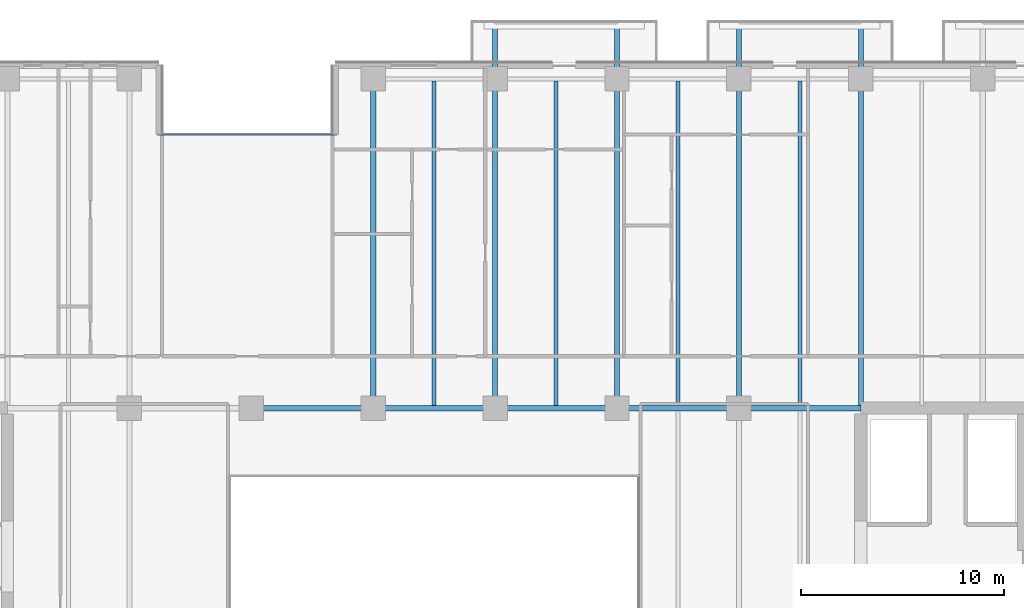
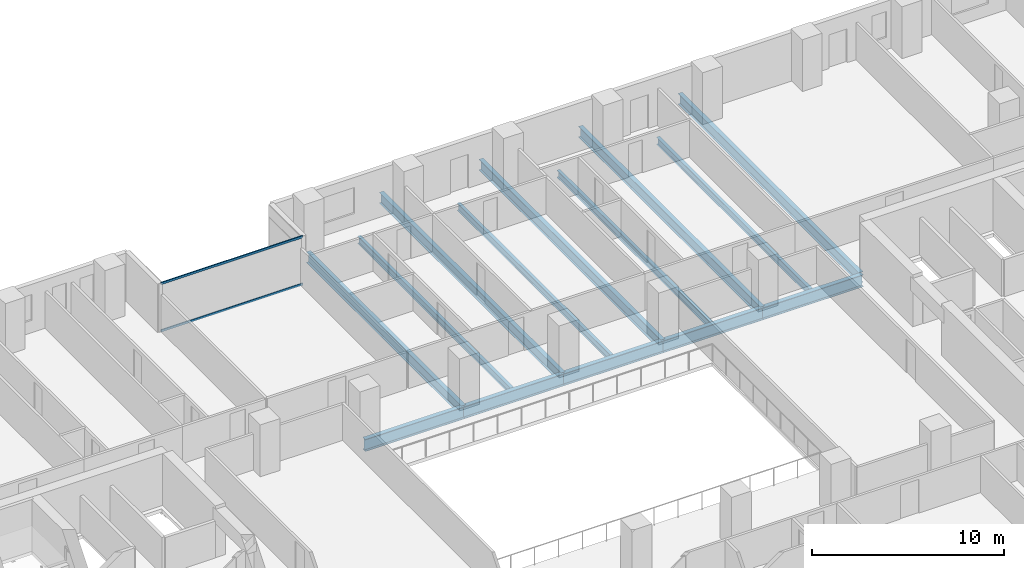
# One storey, part 7 of 26: 14 beams, 2 members, 1 element without a shape of its own.
"""IFC4 building model written with IfcOpenShell, lengths in metres."""

from ifc_helpers import new_model, si_unit, direction, frame, origin, origin_2d, place, context, subcontext, project, spatial, hollow_rectangle, i_section, extrude, material, layer, layer_set, material_profile, profile_set, type_object, element, aggregate, save


model = new_model("IFC4")

# Units and contexts
model_context = context("Model", 3, precision=1e-05, world=origin(), true_north=direction((0.0, 1.0)))
body_context = subcontext(model_context, "Body", "Model", "MODEL_VIEW")
ifc_project = project(units=[si_unit("LENGTHUNIT", "METRE"), si_unit("AREAUNIT", "SQUARE_METRE"), si_unit("VOLUMEUNIT", "CUBIC_METRE"), si_unit("PLANEANGLEUNIT", "RADIAN"), si_unit("MASSUNIT", "GRAM", prefix="KILO")], contexts=[model_context])

# Site, building, storey
site_placement = place(None, origin())
site = spatial("IfcSite", under=ifc_project, at=site_placement, CompositionType="ELEMENT")
building_placement = place(site_placement, origin())
building = spatial("IfcBuilding", under=site, at=building_placement, Name="Tanjung Sevakor Pilgrim Tower", CompositionType="ELEMENT")
storey_placement = place(building_placement, frame((0.0, 0.0, 45.5400390625)))
storey = spatial("IfcBuildingStorey", under=building, at=storey_placement, Name="L12", CompositionType="ELEMENT", Elevation=45.5400390625)

# Beams
ifc_material_1 = material(Name="Steel S355J2", Category="steel")
ifc_material_profile_1 = material_profile(ifc_material_1, i_section(OverallWidth=0.26806640625, OverallDepth=0.769775390625, WebThickness=0.015625, FlangeThickness=0.025390625, FilletRadius=0.0166015625, at=origin_2d()))
ifc_profile_set_1 = profile_set([ifc_material_profile_1], Name="Steel S355J2")
beam_type_1 = type_object("IfcBeamType", Name="BM-B-G1-UB_762x267x197", PredefinedType="BEAM", material=ifc_profile_set_1)
for number, where, z_axis, x_axis, name in (
    (1, (48.0, 42.60009765625, -0.60498046875), (1.0, 0.0, 0.0), (0.0, 1.0, 0.0), "L12 Primary Floor Girder MAIN Y426-04"),
    (2, (54.0, 42.60009765625, -0.60498046875), (1.0, 0.0, 0.0), (0.0, 1.0, 0.0), "L12 Primary Floor Girder MAIN Y426-05"),
    (3, (60.0, 42.60009765625, -0.60498046875), (1.0, 0.0, 0.0), (0.0, 1.0, 0.0), "L12 Primary Floor Girder MAIN Y426-06"),
    (4, (66.0, 42.60009765625, -0.60498046875), (1.0, 0.0, 0.0), (0.0, 1.0, 0.0), "L12 Primary Floor Girder MAIN Y426-07"),
    (5, (72.0, 42.60009765625, -0.60498046875), (1.0, 0.0, 0.0), (0.0, 1.0, 0.0), "L12 Primary Floor Girder MAIN Y426-08"),
):
    element("IfcBeam", number, at=place(storey_placement, frame(where, z_axis=z_axis, x_axis=x_axis)), inside=storey, type_object=beam_type_1, Name=name, PredefinedType="BEAM", context=body_context, shape_type="SweptSolid", body=[
        extrude(i_section(OverallWidth=0.26806640625, OverallDepth=0.769775390625, WebThickness=0.015625, FlangeThickness=0.025390625, FilletRadius=0.0166015625, at=origin_2d()), origin(), (0.0, 0.0, 1.0), 6.0),
    ])
ifc_material_2 = material(Name="Steel S355J2", Category="steel")
ifc_material_profile_2 = material_profile(ifc_material_2, i_section(OverallWidth=0.25439453125, OverallDepth=0.6875, WebThickness=0.01318359375, FlangeThickness=0.02099609375, FilletRadius=0.01513671875, at=origin_2d()))
ifc_profile_set_2 = profile_set([ifc_material_profile_2], Name="Steel S355J2")
beam_type_2 = type_object("IfcBeamType", Name="BM-B-G2-UB_686x254x152", PredefinedType="BEAM", material=ifc_profile_set_2)
beam_1_placement = place(storey_placement, frame((54.0, 42.60009765625, -0.563720703125), z_axis=(0.0, 1.0, 0.0), x_axis=(-1.0, 0.0, 0.0)))
element("IfcBeam", 6, at=beam_1_placement, inside=storey, type_object=beam_type_2, Name="L12 MAIN Girder 014", PredefinedType="BEAM", context=body_context, shape_type="SweptSolid", body=[
    extrude(i_section(OverallWidth=0.25439453125, OverallDepth=0.6875, WebThickness=0.01318359375, FlangeThickness=0.02099609375, FilletRadius=0.01513671875, at=origin_2d()), origin(), (0.0, 0.0, 1.0), 16.199951171875),
])
for number, where, z_axis, x_axis, name in (
    (7, (60.0, 42.60009765625, -0.563720703125), (0.0, 1.0, 0.0), (-1.0, 0.0, 0.0), "L12 Balcony Cantilever Beam MAIN-N2-1"),
    (8, (66.0, 42.60009765625, -0.563720703125), (0.0, 1.0, 0.0), (-1.0, 0.0, 0.0), "L12 Balcony Cantilever Beam MAIN-N2-2"),
    (9, (72.0, 42.60009765625, -0.563720703125), (0.0, 1.0, 0.0), (-1.0, 0.0, 0.0), "L12 Balcony Cantilever Beam MAIN-N3-1"),
):
    element("IfcBeam", number, at=place(storey_placement, frame(where, z_axis=z_axis, x_axis=x_axis)), inside=storey, type_object=beam_type_2, Name=name, PredefinedType="BEAM", context=body_context, shape_type="SweptSolid", body=[
        extrude(i_section(OverallWidth=0.25439453125, OverallDepth=0.6875, WebThickness=0.01318359375, FlangeThickness=0.02099609375, FilletRadius=0.01513671875, at=origin_2d()), origin(), (0.0, 0.0, 1.0), 18.97998046875),
    ])
beam_2_placement = place(storey_placement, frame((78.0, 42.73388671875, -0.563720703125), z_axis=(0.0, 1.0, 0.0), x_axis=(-1.0, 0.0, 0.0)))
element("IfcBeam", 10, at=beam_2_placement, inside=storey, type_object=beam_type_2, Name="L12 Balcony Cantilever Beam MAIN-N3-2", PredefinedType="BEAM", context=body_context, shape_type="SweptSolid", body=[
    extrude(i_section(OverallWidth=0.25439453125, OverallDepth=0.6875, WebThickness=0.01318359375, FlangeThickness=0.02099609375, FilletRadius=0.01513671875, at=origin_2d()), origin(), (0.0, 0.0, 1.0), 18.84619140625),
])
ifc_material_3 = material(Name="Steel S355J2", Category="steel")
ifc_material_profile_3 = material_profile(ifc_material_3, i_section(OverallWidth=0.19140625, OverallDepth=0.4599609375, WebThickness=0.010009765625, FlangeThickness=0.01611328125, FilletRadius=0.01025390625, at=origin_2d()))
ifc_profile_set_3 = profile_set([ifc_material_profile_3], Name="Steel S355J2")
beam_type_3 = type_object("IfcBeamType", Name="BM-B-J2-UB_457x191x82", PredefinedType="JOIST", material=ifc_profile_set_3)
for number, where, z_axis, x_axis, name in (
    (11, (57.0, 42.73388671875, -0.449951171875), (0.0, 1.0, 0.0), (-1.0, 0.0, 0.0), "L12 MAIN Joist 016"),
    (12, (63.0, 42.73388671875, -0.449951171875), (0.0, 1.0, 0.0), (-1.0, 0.0, 0.0), "L12 MAIN Joist 018"),
    (13, (69.0, 42.73388671875, -0.449951171875), (0.0, 1.0, 0.0), (-1.0, 0.0, 0.0), "L12 MAIN Joist 021"),
    (14, (75.0, 42.73388671875, -0.449951171875), (0.0, 1.0, 0.0), (-1.0, 0.0, 0.0), "L12 MAIN Joist 025"),
):
    element("IfcBeam", number, at=place(storey_placement, frame(where, z_axis=z_axis, x_axis=x_axis)), inside=storey, type_object=beam_type_3, Name=name, PredefinedType="JOIST", context=body_context, shape_type="SweptSolid", body=[
        extrude(i_section(OverallWidth=0.19140625, OverallDepth=0.4599609375, WebThickness=0.010009765625, FlangeThickness=0.01611328125, FilletRadius=0.01025390625, at=origin_2d()), origin(), (0.0, 0.0, 1.0), 15.966064453125),
    ])

# Curtain wall, members
ifc_material_4 = material(Name="Aluminium 6063-T6 and Low-E Glass", Category="aluminium")
ifc_layer = layer(ifc_material_4, 0.179931640625)
ifc_layer_set = layer_set([ifc_layer], Name="CW-SYS-CLEFT")
curtain_wall_type = type_object("IfcCurtainWallType", Name="CW-SYS-CLEFT", PredefinedType="NOTDEFINED", material=ifc_layer_set)
curtain_wall_placement = place(storey_placement, origin())
curtain_wall = element("IfcCurtainWall", 15, at=curtain_wall_placement, inside=storey, type_object=curtain_wall_type, Name="L12 Curtain Wall CW-CLF-L12-10", PredefinedType="NOTDEFINED")
ifc_material_5 = material(Name="Aluminium 6063-T6", Category="aluminium")
ifc_material_profile_4 = material_profile(ifc_material_5, hollow_rectangle(XDim=0.06494140625, YDim=0.139892578125, WallThickness=0.00390625, at=origin_2d()))
ifc_profile_set_4 = profile_set([ifc_material_profile_4], Name="Aluminium 6063-T6")
member_type = type_object("IfcMemberType", Name="TYPE-CWT-1", PredefinedType="USERDEFINED", material=ifc_profile_set_4)
member_1_placement = place(storey_placement, frame((52.06494140625, 56.06005859375, 0.032470703125), z_axis=(-1.0, 0.0, 0.0), x_axis=(0.0, -1.0, 0.0)))
member_1 = element("IfcMember", 16, at=member_1_placement, type_object=member_type, Name="CW-CLF transom 1.1", ObjectType="TRANSOM", PredefinedType="USERDEFINED", context=body_context, shape_type="SweptSolid", body=[
    extrude(hollow_rectangle(XDim=0.06494140625, YDim=0.139892578125, WallThickness=0.00390625, at=origin_2d()), origin(), (0.0, 0.0, 1.0), 8.530029296875),
])
member_2_placement = place(storey_placement, frame((52.06494140625, 56.06005859375, 3.04736328125), z_axis=(-1.0, 0.0, 0.0), x_axis=(0.0, -1.0, 0.0)))
member_2 = element("IfcMember", 17, at=member_2_placement, type_object=member_type, Name="CW-CLF transom 1.2", ObjectType="TRANSOM", PredefinedType="USERDEFINED", context=body_context, shape_type="SweptSolid", body=[
    extrude(hollow_rectangle(XDim=0.06494140625, YDim=0.139892578125, WallThickness=0.00390625, at=origin_2d()), origin(), (0.0, 0.0, 1.0), 8.530029296875),
])
aggregate(curtain_wall, [member_1, member_2])

save(model, "model.ifc")
